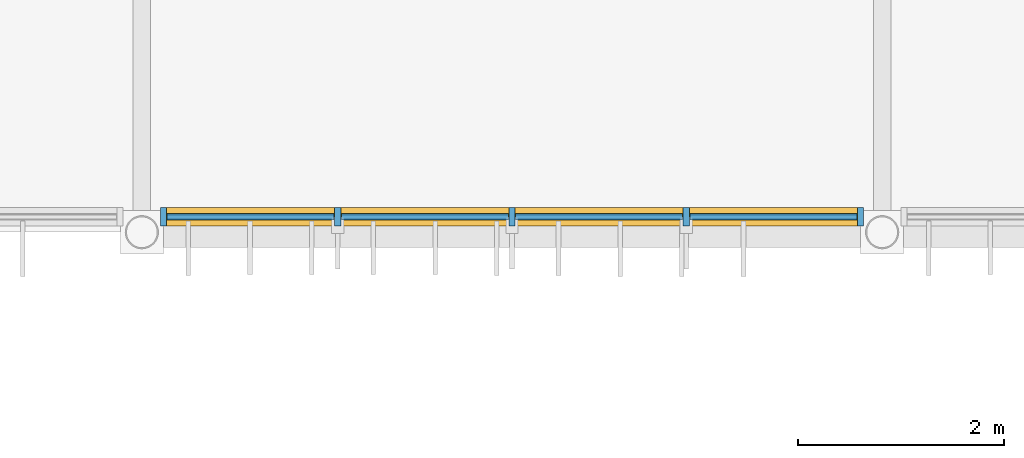
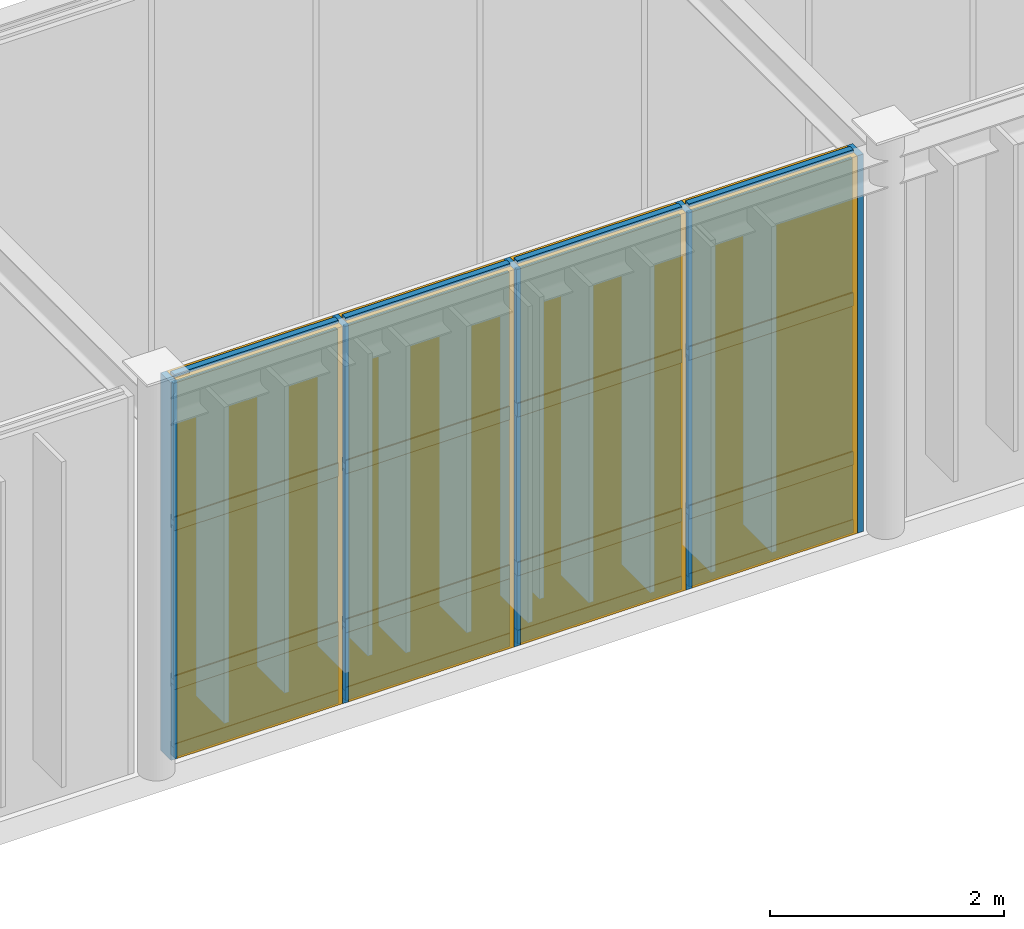
# One storey, part 88 of 122: 21 members, 12 plates, 1 curtain wall.
"""IFC4 building model written with IfcOpenShell, lengths in metres."""

from ifc_helpers import new_model, si_unit, direction, frame, frame_2d, origin, origin_2d, place, context, subcontext, project, spatial, rectangle, extrude, material, layer, layer_set, material_profile, profile_set, type_object, element, aggregate, save


model = new_model("IFC4")

# Units and contexts
model_context = context("Model", 3, precision=1e-05, world=origin(), true_north=direction((0.0, 1.0)))
body_context = subcontext(model_context, "Body", "Model", "MODEL_VIEW")
ifc_project = project(units=[si_unit("LENGTHUNIT", "METRE"), si_unit("AREAUNIT", "SQUARE_METRE"), si_unit("VOLUMEUNIT", "CUBIC_METRE"), si_unit("PLANEANGLEUNIT", "RADIAN"), si_unit("MASSUNIT", "GRAM", prefix="KILO")], contexts=[model_context])

# Member
ifc_material_1 = material(Name="Anodised Bronze Aluminium 6063-T6", Category="aluminium")
ifc_material_profile_1 = material_profile(ifc_material_1, rectangle(XDim=0.06005859375, YDim=0.179931640625, at=origin_2d()), Name="ALU MULLION 60x180")
ifc_profile_set_1 = profile_set([ifc_material_profile_1], Name="Anodised Bronze Aluminium 6063-T6")
member_type_1 = type_object("IfcMemberType", Name="Curtain-Wall Primary Mullion 60x180", PredefinedType="MULLION", material=ifc_profile_set_1)
site_placement = place(None, origin())
building_placement = place(site_placement, origin())
storey_placement = place(building_placement, frame((0.0, 0.0, 4.800048828125)))
member_1_placement = place(storey_placement, frame((102.81201171875, 44.75, 0.0), z_axis=(0.0, 0.0, 1.0), x_axis=(1.0, 0.0, 0.0)))
member_1 = element("IfcMember", 1, at=member_1_placement, type_object=member_type_1, Name="Mullion CWM-01 CW-ELNK-S-L01-B2-M01", PredefinedType="MULLION", context=body_context, shape_type="SweptSolid", body=[
    extrude(rectangle(XDim=0.06005859375, YDim=0.179931640625, at=origin_2d()), origin(), (0.0, 0.0, 1.0), 3.93994140625),
])

member_2_placement = place(storey_placement, frame((104.505859375, 44.75, 0.0), z_axis=(0.0, 0.0, 1.0), x_axis=(1.0, 0.0, 0.0)))
member_2 = element("IfcMember", 2, at=member_2_placement, type_object=member_type_1, Name="Mullion CWM-01 CW-ELNK-S-L01-B2-M02", PredefinedType="MULLION", context=body_context, shape_type="SweptSolid", body=[
    extrude(rectangle(XDim=0.06005859375, YDim=0.179931640625, at=origin_2d()), origin(), (0.0, 0.0, 1.0), 3.93994140625),
])

member_3_placement = place(storey_placement, frame((106.199951171875, 44.75, 0.0), z_axis=(0.0, 0.0, 1.0), x_axis=(1.0, 0.0, 0.0)))
member_3 = element("IfcMember", 3, at=member_3_placement, type_object=member_type_1, Name="Mullion CWM-01 CW-ELNK-S-L01-B2-M03", PredefinedType="MULLION", context=body_context, shape_type="SweptSolid", body=[
    extrude(rectangle(XDim=0.06005859375, YDim=0.179931640625, at=origin_2d()), origin(), (0.0, 0.0, 1.0), 3.93994140625),
])

member_4_placement = place(storey_placement, frame((107.89404296875, 44.75, 0.0), z_axis=(0.0, 0.0, 1.0), x_axis=(1.0, 0.0, 0.0)))
member_4 = element("IfcMember", 4, at=member_4_placement, type_object=member_type_1, Name="Mullion CWM-01 CW-ELNK-S-L01-B2-M04", PredefinedType="MULLION", context=body_context, shape_type="SweptSolid", body=[
    extrude(rectangle(XDim=0.06005859375, YDim=0.179931640625, at=origin_2d()), origin(), (0.0, 0.0, 1.0), 3.93994140625),
])

member_5_placement = place(storey_placement, frame((109.587890625, 44.75, 0.0), z_axis=(0.0, 0.0, 1.0), x_axis=(1.0, 0.0, 0.0)))
member_5 = element("IfcMember", 5, at=member_5_placement, type_object=member_type_1, Name="Mullion CWM-01 CW-ELNK-S-L01-B2-M05", PredefinedType="MULLION", context=body_context, shape_type="SweptSolid", body=[
    extrude(rectangle(XDim=0.06005859375, YDim=0.179931640625, at=origin_2d()), origin(), (0.0, 0.0, 1.0), 3.93994140625),
])

ifc_material_profile_2 = material_profile(ifc_material_1, rectangle(XDim=0.06005859375, YDim=0.139892578125, at=origin_2d()), Name="ALU TRANSOM 60x140")
ifc_profile_set_2 = profile_set([ifc_material_profile_2], Name="Anodised Bronze Aluminium 6063-T6")
member_type_2 = type_object("IfcMemberType", Name="Curtain-Wall Transom 60x140", PredefinedType="USERDEFINED", material=ifc_profile_set_2)
member_6_placement = place(storey_placement, frame((102.846923828125, 44.75, 0.0400390625), z_axis=(1.0, 0.0, 0.0), x_axis=(0.0, 1.0, 0.0)))
member_6 = element("IfcMember", 6, at=member_6_placement, type_object=member_type_2, Name="Transom CWT-01 CW-ELNK-S-L01-B2-T01.1", ObjectType="TRANSOM", PredefinedType="USERDEFINED", context=body_context, shape_type="SweptSolid", body=[
    extrude(rectangle(XDim=0.06005859375, YDim=0.139892578125, at=origin_2d()), origin(), (0.0, 0.0, 1.0), 1.6240234375),
])

member_7_placement = place(storey_placement, frame((102.846923828125, 44.75, 0.75), z_axis=(1.0, 0.0, 0.0), x_axis=(0.0, 1.0, 0.0)))
member_7 = element("IfcMember", 7, at=member_7_placement, type_object=member_type_2, Name="Transom CWT-01 CW-ELNK-S-L01-B2-T01.2", ObjectType="TRANSOM", PredefinedType="USERDEFINED", context=body_context, shape_type="SweptSolid", body=[
    extrude(rectangle(XDim=0.06005859375, YDim=0.139892578125, at=origin_2d()), origin(), (0.0, 0.0, 1.0), 1.6240234375),
])

member_8_placement = place(storey_placement, frame((102.846923828125, 44.75, 2.40869140625), z_axis=(1.0, 0.0, 0.0), x_axis=(0.0, 1.0, 0.0)))
member_8 = element("IfcMember", 8, at=member_8_placement, type_object=member_type_2, Name="Transom CWT-01 CW-ELNK-S-L01-B2-T01.3", ObjectType="TRANSOM", PredefinedType="USERDEFINED", context=body_context, shape_type="SweptSolid", body=[
    extrude(rectangle(XDim=0.06005859375, YDim=0.139892578125, at=origin_2d()), origin(), (0.0, 0.0, 1.0), 1.6240234375),
])

member_9_placement = place(storey_placement, frame((102.846923828125, 44.75, 3.89990234375), z_axis=(1.0, 0.0, 0.0), x_axis=(0.0, 1.0, 0.0)))
member_9 = element("IfcMember", 9, at=member_9_placement, type_object=member_type_2, Name="Transom CWT-01 CW-ELNK-S-L01-B2-T01.4", ObjectType="TRANSOM", PredefinedType="USERDEFINED", context=body_context, shape_type="SweptSolid", body=[
    extrude(rectangle(XDim=0.06005859375, YDim=0.139892578125, at=origin_2d()), origin(), (0.0, 0.0, 1.0), 1.6240234375),
])

member_10_placement = place(storey_placement, frame((104.541015625, 44.75, 0.0400390625), z_axis=(1.0, 0.0, 0.0), x_axis=(0.0, 1.0, 0.0)))
member_10 = element("IfcMember", 10, at=member_10_placement, type_object=member_type_2, Name="Transom CWT-01 CW-ELNK-S-L01-B2-T02.1", ObjectType="TRANSOM", PredefinedType="USERDEFINED", context=body_context, shape_type="SweptSolid", body=[
    extrude(rectangle(XDim=0.06005859375, YDim=0.139892578125, at=origin_2d()), origin(), (0.0, 0.0, 1.0), 1.623779296875),
])

member_11_placement = place(storey_placement, frame((104.541015625, 44.75, 0.75), z_axis=(1.0, 0.0, 0.0), x_axis=(0.0, 1.0, 0.0)))
member_11 = element("IfcMember", 11, at=member_11_placement, type_object=member_type_2, Name="Transom CWT-01 CW-ELNK-S-L01-B2-T02.2", ObjectType="TRANSOM", PredefinedType="USERDEFINED", context=body_context, shape_type="SweptSolid", body=[
    extrude(rectangle(XDim=0.06005859375, YDim=0.139892578125, at=origin_2d()), origin(), (0.0, 0.0, 1.0), 1.623779296875),
])

member_12_placement = place(storey_placement, frame((104.541015625, 44.75, 2.40869140625), z_axis=(1.0, 0.0, 0.0), x_axis=(0.0, 1.0, 0.0)))
member_12 = element("IfcMember", 12, at=member_12_placement, type_object=member_type_2, Name="Transom CWT-01 CW-ELNK-S-L01-B2-T02.3", ObjectType="TRANSOM", PredefinedType="USERDEFINED", context=body_context, shape_type="SweptSolid", body=[
    extrude(rectangle(XDim=0.06005859375, YDim=0.139892578125, at=origin_2d()), origin(), (0.0, 0.0, 1.0), 1.623779296875),
])

member_13_placement = place(storey_placement, frame((104.541015625, 44.75, 3.89990234375), z_axis=(1.0, 0.0, 0.0), x_axis=(0.0, 1.0, 0.0)))
member_13 = element("IfcMember", 13, at=member_13_placement, type_object=member_type_2, Name="Transom CWT-01 CW-ELNK-S-L01-B2-T02.4", ObjectType="TRANSOM", PredefinedType="USERDEFINED", context=body_context, shape_type="SweptSolid", body=[
    extrude(rectangle(XDim=0.06005859375, YDim=0.139892578125, at=origin_2d()), origin(), (0.0, 0.0, 1.0), 1.623779296875),
])

member_14_placement = place(storey_placement, frame((106.23486328125, 44.75, 0.0400390625), z_axis=(1.0, 0.0, 0.0), x_axis=(0.0, 1.0, 0.0)))
member_14 = element("IfcMember", 14, at=member_14_placement, type_object=member_type_2, Name="Transom CWT-01 CW-ELNK-S-L01-B2-T03.1", ObjectType="TRANSOM", PredefinedType="USERDEFINED", context=body_context, shape_type="SweptSolid", body=[
    extrude(rectangle(XDim=0.06005859375, YDim=0.139892578125, at=origin_2d()), origin(), (0.0, 0.0, 1.0), 1.6240234375),
])

member_15_placement = place(storey_placement, frame((106.23486328125, 44.75, 0.75), z_axis=(1.0, 0.0, 0.0), x_axis=(0.0, 1.0, 0.0)))
member_15 = element("IfcMember", 15, at=member_15_placement, type_object=member_type_2, Name="Transom CWT-01 CW-ELNK-S-L01-B2-T03.2", ObjectType="TRANSOM", PredefinedType="USERDEFINED", context=body_context, shape_type="SweptSolid", body=[
    extrude(rectangle(XDim=0.06005859375, YDim=0.139892578125, at=origin_2d()), origin(), (0.0, 0.0, 1.0), 1.6240234375),
])

member_16_placement = place(storey_placement, frame((106.23486328125, 44.75, 2.40869140625), z_axis=(1.0, 0.0, 0.0), x_axis=(0.0, 1.0, 0.0)))
member_16 = element("IfcMember", 16, at=member_16_placement, type_object=member_type_2, Name="Transom CWT-01 CW-ELNK-S-L01-B2-T03.3", ObjectType="TRANSOM", PredefinedType="USERDEFINED", context=body_context, shape_type="SweptSolid", body=[
    extrude(rectangle(XDim=0.06005859375, YDim=0.139892578125, at=origin_2d()), origin(), (0.0, 0.0, 1.0), 1.6240234375),
])

member_17_placement = place(storey_placement, frame((106.23486328125, 44.75, 3.89990234375), z_axis=(1.0, 0.0, 0.0), x_axis=(0.0, 1.0, 0.0)))
member_17 = element("IfcMember", 17, at=member_17_placement, type_object=member_type_2, Name="Transom CWT-01 CW-ELNK-S-L01-B2-T03.4", ObjectType="TRANSOM", PredefinedType="USERDEFINED", context=body_context, shape_type="SweptSolid", body=[
    extrude(rectangle(XDim=0.06005859375, YDim=0.139892578125, at=origin_2d()), origin(), (0.0, 0.0, 1.0), 1.6240234375),
])

member_18_placement = place(storey_placement, frame((107.928955078125, 44.75, 0.0400390625), z_axis=(1.0, 0.0, 0.0), x_axis=(0.0, 1.0, 0.0)))
member_18 = element("IfcMember", 18, at=member_18_placement, type_object=member_type_2, Name="Transom CWT-01 CW-ELNK-S-L01-B2-T04.1", ObjectType="TRANSOM", PredefinedType="USERDEFINED", context=body_context, shape_type="SweptSolid", body=[
    extrude(rectangle(XDim=0.06005859375, YDim=0.139892578125, at=origin_2d()), origin(), (0.0, 0.0, 1.0), 1.6240234375),
])

member_19_placement = place(storey_placement, frame((107.928955078125, 44.75, 0.75), z_axis=(1.0, 0.0, 0.0), x_axis=(0.0, 1.0, 0.0)))
member_19 = element("IfcMember", 19, at=member_19_placement, type_object=member_type_2, Name="Transom CWT-01 CW-ELNK-S-L01-B2-T04.2", ObjectType="TRANSOM", PredefinedType="USERDEFINED", context=body_context, shape_type="SweptSolid", body=[
    extrude(rectangle(XDim=0.06005859375, YDim=0.139892578125, at=origin_2d()), origin(), (0.0, 0.0, 1.0), 1.6240234375),
])

member_20_placement = place(storey_placement, frame((107.928955078125, 44.75, 2.40869140625), z_axis=(1.0, 0.0, 0.0), x_axis=(0.0, 1.0, 0.0)))
member_20 = element("IfcMember", 20, at=member_20_placement, type_object=member_type_2, Name="Transom CWT-01 CW-ELNK-S-L01-B2-T04.3", ObjectType="TRANSOM", PredefinedType="USERDEFINED", context=body_context, shape_type="SweptSolid", body=[
    extrude(rectangle(XDim=0.06005859375, YDim=0.139892578125, at=origin_2d()), origin(), (0.0, 0.0, 1.0), 1.6240234375),
])

member_21_placement = place(storey_placement, frame((107.928955078125, 44.75, 3.89990234375), z_axis=(1.0, 0.0, 0.0), x_axis=(0.0, 1.0, 0.0)))
member_21 = element("IfcMember", 21, at=member_21_placement, type_object=member_type_2, Name="Transom CWT-01 CW-ELNK-S-L01-B2-T04.4", ObjectType="TRANSOM", PredefinedType="USERDEFINED", context=body_context, shape_type="SweptSolid", body=[
    extrude(rectangle(XDim=0.06005859375, YDim=0.139892578125, at=origin_2d()), origin(), (0.0, 0.0, 1.0), 1.6240234375),
])

# Plate
ifc_material_2 = material(Name="Insulated Bronze Aluminium Spandrel Panel", Category="aluminium")
ifc_layer_1 = layer(ifc_material_2, 0.050048828125, Name="Insulated Bronze Aluminium Spandrel Panel")
ifc_layer_set_1 = layer_set([ifc_layer_1], Name="Insulated Bronze Aluminium Spandrel Panel")
plate_type_1 = type_object("IfcPlateType", Name="Insulated Anodised Aluminium Spandrel Cassette 50", PredefinedType="CURTAIN_PANEL", material=ifc_layer_set_1)
plate_1_placement = place(storey_placement, frame((103.658935546875, 44.75, 0.070068359375), z_axis=(0.0, 0.0, 1.0), x_axis=(1.0, 0.0, 0.0)))
plate_1 = element("IfcPlate", 22, at=plate_1_placement, type_object=plate_type_1, Name="Curtain Panel CWP-03 CW-ELNK-S-L01-B2-P01.1", PredefinedType="CURTAIN_PANEL", context=body_context, shape_type="SweptSolid", body=[
    extrude(rectangle(XDim=1.6240234375, YDim=0.050048828125, at=origin_2d()), origin(), (0.0, 0.0, 1.0), 0.64990234375),
])

plate_2_placement = place(storey_placement, frame((105.352783203125, 44.75, 0.070068359375), z_axis=(0.0, 0.0, 1.0), x_axis=(1.0, 0.0, 0.0)))
plate_2 = element("IfcPlate", 23, at=plate_2_placement, type_object=plate_type_1, Name="Curtain Panel CWP-03 CW-ELNK-S-L01-B2-P02.1", PredefinedType="CURTAIN_PANEL", context=body_context, shape_type="SweptSolid", body=[
    extrude(rectangle(XDim=1.6240234375, YDim=0.050048828125, at=origin_2d()), origin(), (0.0, 0.0, 1.0), 0.64990234375),
])

plate_3_placement = place(storey_placement, frame((107.047119140625, 44.75, 0.070068359375), z_axis=(0.0, 0.0, 1.0), x_axis=(1.0, 0.0, 0.0)))
plate_3 = element("IfcPlate", 24, at=plate_3_placement, type_object=plate_type_1, Name="Curtain Panel CWP-03 CW-ELNK-S-L01-B2-P03.1", PredefinedType="CURTAIN_PANEL", context=body_context, shape_type="SweptSolid", body=[
    extrude(rectangle(XDim=1.6240234375, YDim=0.050048828125, at=origin_2d()), origin(), (0.0, 0.0, 1.0), 0.64990234375),
])

plate_4_placement = place(storey_placement, frame((108.740966796875, 44.75, 0.070068359375), z_axis=(0.0, 0.0, 1.0), x_axis=(1.0, 0.0, 0.0)))
plate_4 = element("IfcPlate", 25, at=plate_4_placement, type_object=plate_type_1, Name="Curtain Panel CWP-03 CW-ELNK-S-L01-B2-P04.1", PredefinedType="CURTAIN_PANEL", context=body_context, shape_type="SweptSolid", body=[
    extrude(rectangle(XDim=1.6240234375, YDim=0.050048828125, at=origin_2d()), origin(), (0.0, 0.0, 1.0), 0.64990234375),
])

ifc_material_3 = material(Name="Solar-Control Tempered Double Glazing", Category="glass")
ifc_layer_2 = layer(ifc_material_3, 0.0380859375, Name="Solar-Control Tempered Double Glazing")
ifc_layer_set_2 = layer_set([ifc_layer_2], Name="Solar-Control Tempered Double Glazing")
plate_type_2 = type_object("IfcPlateType", Name="Solar-Control Vision Glazing Unit 38", PredefinedType="CURTAIN_PANEL", material=ifc_layer_set_2)
plate_5_placement = place(storey_placement, frame((103.658935546875, 44.75, 0.77978515625), z_axis=(0.0, 0.0, 1.0), x_axis=(1.0, 0.0, 0.0)))
plate_5 = element("IfcPlate", 26, at=plate_5_placement, type_object=plate_type_2, Name="Curtain Panel CWP-02 CW-ELNK-S-L01-B2-P01.2", PredefinedType="CURTAIN_PANEL", context=body_context, shape_type="SweptSolid", body=[
    extrude(rectangle(XDim=1.6240234375, YDim=0.0380859375, at=origin_2d()), origin(), (0.0, 0.0, 1.0), 1.598876953125),
])

plate_6_placement = place(storey_placement, frame((103.658935546875, 44.75, 2.438720703125), z_axis=(0.0, 0.0, 1.0), x_axis=(1.0, 0.0, 0.0)))
plate_6 = element("IfcPlate", 27, at=plate_6_placement, type_object=plate_type_2, Name="Curtain Panel CWP-02 CW-ELNK-S-L01-B2-P01.3", PredefinedType="CURTAIN_PANEL", context=body_context, shape_type="SweptSolid", body=[
    extrude(rectangle(XDim=1.6240234375, YDim=0.0380859375, at=origin_2d()), origin(), (0.0, 0.0, 1.0), 1.43115234375),
])

plate_7_placement = place(storey_placement, frame((105.352783203125, 44.75, 0.77978515625), z_axis=(0.0, 0.0, 1.0), x_axis=(1.0, 0.0, 0.0)))
plate_7 = element("IfcPlate", 28, at=plate_7_placement, type_object=plate_type_2, Name="Curtain Panel CWP-02 CW-ELNK-S-L01-B2-P02.2", PredefinedType="CURTAIN_PANEL", context=body_context, shape_type="SweptSolid", body=[
    extrude(rectangle(XDim=1.6240234375, YDim=0.0380859375, at=origin_2d()), origin(), (0.0, 0.0, 1.0), 1.598876953125),
])

plate_8_placement = place(storey_placement, frame((105.352783203125, 44.75, 2.438720703125), z_axis=(0.0, 0.0, 1.0), x_axis=(1.0, 0.0, 0.0)))
plate_8 = element("IfcPlate", 29, at=plate_8_placement, type_object=plate_type_2, Name="Curtain Panel CWP-02 CW-ELNK-S-L01-B2-P02.3", PredefinedType="CURTAIN_PANEL", context=body_context, shape_type="SweptSolid", body=[
    extrude(rectangle(XDim=1.6240234375, YDim=0.0380859375, at=origin_2d()), origin(), (0.0, 0.0, 1.0), 1.43115234375),
])

plate_9_placement = place(storey_placement, frame((107.047119140625, 44.75, 0.77978515625), z_axis=(0.0, 0.0, 1.0), x_axis=(1.0, 0.0, 0.0)))
plate_9 = element("IfcPlate", 30, at=plate_9_placement, type_object=plate_type_2, Name="Curtain Panel CWP-02 CW-ELNK-S-L01-B2-P03.2", PredefinedType="CURTAIN_PANEL", context=body_context, shape_type="SweptSolid", body=[
    extrude(rectangle(XDim=1.6240234375, YDim=0.0380859375, at=origin_2d()), origin(), (0.0, 0.0, 1.0), 1.598876953125),
])

plate_10_placement = place(storey_placement, frame((107.047119140625, 44.75, 2.438720703125), z_axis=(0.0, 0.0, 1.0), x_axis=(1.0, 0.0, 0.0)))
plate_10 = element("IfcPlate", 31, at=plate_10_placement, type_object=plate_type_2, Name="Curtain Panel CWP-02 CW-ELNK-S-L01-B2-P03.3", PredefinedType="CURTAIN_PANEL", context=body_context, shape_type="SweptSolid", body=[
    extrude(rectangle(XDim=1.6240234375, YDim=0.0380859375, at=origin_2d()), origin(), (0.0, 0.0, 1.0), 1.43115234375),
])

plate_11_placement = place(storey_placement, frame((108.740966796875, 44.75, 0.77978515625), z_axis=(0.0, 0.0, 1.0), x_axis=(1.0, 0.0, 0.0)))
plate_11 = element("IfcPlate", 32, at=plate_11_placement, type_object=plate_type_2, Name="Curtain Panel CWP-02 CW-ELNK-S-L01-B2-P04.2", PredefinedType="CURTAIN_PANEL", context=body_context, shape_type="SweptSolid", body=[
    extrude(rectangle(XDim=1.6240234375, YDim=0.0380859375, at=origin_2d()), origin(), (0.0, 0.0, 1.0), 1.598876953125),
])

plate_12_placement = place(storey_placement, frame((108.740966796875, 44.75, 2.438720703125), z_axis=(0.0, 0.0, 1.0), x_axis=(1.0, 0.0, 0.0)))
plate_12 = element("IfcPlate", 33, at=plate_12_placement, type_object=plate_type_2, Name="Curtain Panel CWP-02 CW-ELNK-S-L01-B2-P04.3", PredefinedType="CURTAIN_PANEL", context=body_context, shape_type="SweptSolid", body=[
    extrude(rectangle(XDim=1.6240234375, YDim=0.0380859375, at=origin_2d()), origin(), (0.0, 0.0, 1.0), 1.43115234375),
])

# Site, building, storey
site = spatial("IfcSite", under=ifc_project, at=site_placement, CompositionType="ELEMENT")
building = spatial("IfcBuilding", under=site, at=building_placement, Name="Tazoul Stagehouse", CompositionType="ELEMENT")
storey = spatial("IfcBuildingStorey", under=building, at=storey_placement, Name="L01", CompositionType="ELEMENT", Elevation=4.800048828125)

# Curtain wall
curtain_wall_type = type_object("IfcCurtainWallType", Name="Foyer Clear Solar-Control Curtain Wall", PredefinedType="NOTDEFINED", material=ifc_material_1)
curtain_wall_placement = place(storey_placement, frame((102.81201171875, 44.75, 0.0), z_axis=(0.0, 0.0, 1.0), x_axis=(1.0, 0.0, 0.0)))
curtain_wall = element("IfcCurtainWall", 34, at=curtain_wall_placement, inside=storey, type_object=curtain_wall_type, Name="L01 Curtain Wall CW-02 (CW-ELNK-S-L01-B2)", PredefinedType="NOTDEFINED", context=body_context, shape_type="SweptSolid", body=[
    extrude(rectangle(XDim=6.77587890625, YDim=0.179931640625, at=frame_2d((3.387939453125, 0.0))), origin(), (0.0, 0.0, 1.0), 3.93994140625),
])

aggregate(curtain_wall, [member_1, member_2, member_3, member_4, member_5, member_6, member_7, member_8, member_9, plate_1, plate_5, plate_6, member_10, member_11, member_12, member_13, plate_2, plate_7, plate_8, member_14, member_15, member_16, member_17, plate_3, plate_9, plate_10, member_18, member_19, member_20, member_21, plate_4, plate_11, plate_12])

save(model, "model.ifc")
